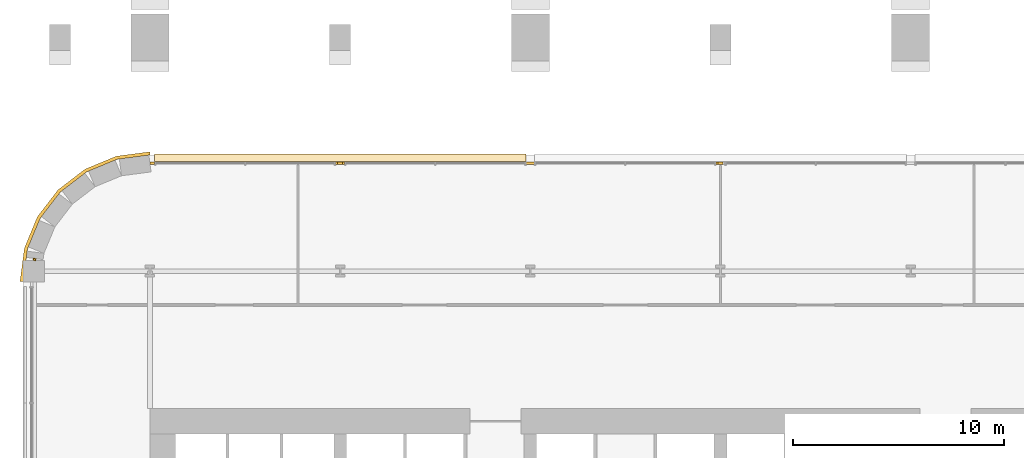
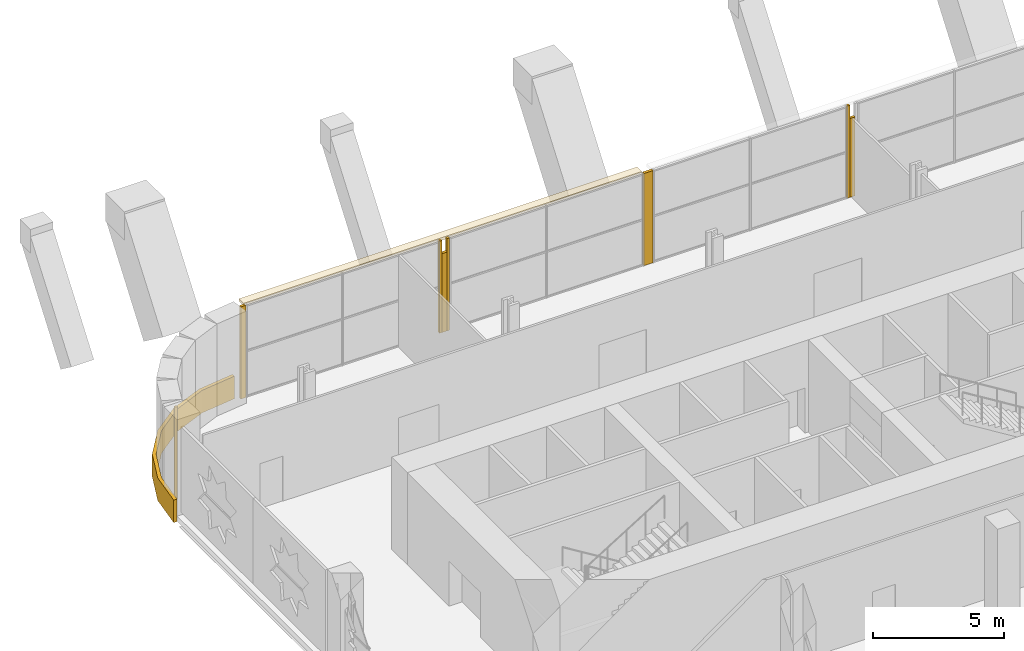
# One storey, part 22 of 24: 10 coverings.
"""IFC4 building model written with IfcOpenShell, lengths in metres."""

from ifc_helpers import new_model, si_unit, direction, frame, origin, origin_2d, place, context, subcontext, project, spatial, polyline, rectangle, outline, extrude, material, layer, layer_set, type_object, element, save


model = new_model("IFC4")

# Units and contexts
model_context = context("Model", 3, precision=1e-05, world=origin(), true_north=direction((0.0, 1.0)))
body_context = subcontext(model_context, "Body", "Model", "MODEL_VIEW")
ifc_project = project(units=[si_unit("LENGTHUNIT", "METRE"), si_unit("AREAUNIT", "SQUARE_METRE"), si_unit("VOLUMEUNIT", "CUBIC_METRE"), si_unit("PLANEANGLEUNIT", "RADIAN"), si_unit("MASSUNIT", "GRAM", prefix="KILO")], contexts=[model_context])

# Site, building, storey
site_placement = place(None, origin())
site = spatial("IfcSite", under=ifc_project, at=site_placement, CompositionType="ELEMENT")
building_placement = place(site_placement, origin())
building = spatial("IfcBuilding", under=site, at=building_placement, Name="Zellij Exchange Tower", CompositionType="ELEMENT")
storey_placement = place(building_placement, frame((0.0, 0.0, 48.0)))
storey = spatial("IfcBuildingStorey", under=building, at=storey_placement, Name="L08", CompositionType="ELEMENT", Elevation=48.0)

# Coverings
ifc_material_1 = material(Name="Limestone cladding", Category="masonry")
ifc_layer_1 = layer(ifc_material_1, 0.14990234375)
ifc_layer_set_1 = layer_set([ifc_layer_1], Name="Limestone cladding")
covering_type_1 = type_object("IfcCoveringType", Name="ENV-CV1 Stone spandrel band 150", PredefinedType="CLADDING", material=ifc_layer_set_1)
covering_1_placement = place(storey_placement, frame((0.0, 0.0, -0.25)))
element("IfcCovering", 1, at=covering_1_placement, inside=storey, type_object=covering_type_1, Name="Stone spandrel band", PredefinedType="CLADDING", context=body_context, shape_type="SweptSolid", body=[
    extrude(outline(polyline([(-27.0, 10.0), (-28.552978515625, 9.795654296875), (-30.0, 9.1962890625), (-31.24267578125, 8.24267578125), (-32.1962890625, 7.0), (-32.795654296875, 5.552978515625), (-33.0, 4.0), (-33.14990234375, 4.009765625), (-32.941650390625, 5.592041015625), (-32.3271484375, 7.07568359375), (-31.349609375, 8.349609375), (-30.07568359375, 9.3271484375), (-28.592041015625, 9.941650390625), (-27.009765625, 10.14990234375), (-27.0, 10.0)])), origin(), (0.0, 0.0, 1.0), 1.050048828125),
])
ifc_layer_2 = layer(ifc_material_1, 0.1201171875)
ifc_layer_set_2 = layer_set([ifc_layer_2], Name="Limestone cladding")
covering_type_2 = type_object("IfcCoveringType", Name="ENV-CV18 Glazing closer 120", PredefinedType="CLADDING", material=ifc_layer_set_2)
covering_2_placement = place(storey_placement, frame((-9.0, 9.60009765625, 0.0), z_axis=(0.0, 0.0, 1.0), x_axis=(-1.0, 0.0, 0.0)))
element("IfcCovering", 2, at=covering_2_placement, inside=storey, type_object=covering_type_2, Name="Glazing closer", PredefinedType="CLADDING", context=body_context, shape_type="SweptSolid", body=[
    extrude(rectangle(XDim=0.39990234375, YDim=0.1201171875, at=origin_2d()), origin(), (0.0, 0.0, 1.0), 4.300048828125),
])
for number, where, z_axis, x_axis, name in (
    (3, (0.0, 9.60009765625, 0.0), (0.0, 0.0, 1.0), (-1.0, 0.0, 0.0), "Glazing closer"),
    (4, (-18.0, 9.60009765625, 0.0), (0.0, 0.0, 1.0), (-1.0, 0.0, 0.0), "Glazing closer"),
):
    element("IfcCovering", number, at=place(storey_placement, frame(where, z_axis=z_axis, x_axis=x_axis)), inside=storey, type_object=covering_type_2, Name=name, PredefinedType="CLADDING", context=body_context, shape_type="SweptSolid", body=[
        extrude(rectangle(XDim=0.22900390625, YDim=0.1201171875, at=origin_2d()), origin(), (0.0, 0.0, 1.0), 3.677734375),
    ])
covering_3_placement = place(storey_placement, frame((-26.883056640625, 9.60009765625, 0.0), z_axis=(0.0, 0.0, 1.0), x_axis=(-1.0, 0.0, 0.0)))
element("IfcCovering", 5, at=covering_3_placement, inside=storey, type_object=covering_type_2, Name="Glazing closer", PredefinedType="CLADDING", context=body_context, shape_type="SweptSolid", body=[
    extrude(rectangle(XDim=0.218505859375, YDim=0.1201171875, at=origin_2d()), origin(), (0.0, 0.0, 1.0), 4.300048828125),
])
for number, where, z_axis, x_axis, name in (
    (6, (-17.83544921875, 9.60009765625, 0.0), (0.0, 0.0, 1.0), (-1.0, 0.0, 0.0), "Glazing closer"),
    (7, (-18.16455078125, 9.60009765625, 0.0), (0.0, 0.0, 1.0), (-1.0, 0.0, 0.0), "Glazing closer"),
    (8, (-0.16455078125, 9.60009765625, 0.0), (0.0, 0.0, 1.0), (-1.0, 0.0, 0.0), "Glazing closer"),
):
    element("IfcCovering", number, at=place(storey_placement, frame(where, z_axis=z_axis, x_axis=x_axis)), inside=storey, type_object=covering_type_2, Name=name, PredefinedType="CLADDING", context=body_context, shape_type="SweptSolid", body=[
        extrude(rectangle(XDim=0.10009765625, YDim=0.1201171875, at=origin_2d()), origin(), (0.0, 0.0, 1.0), 4.300048828125),
    ])
covering_4_placement = place(storey_placement, frame((-32.457763671875, 5.0546875, 0.0), z_axis=(0.0, 0.0, 1.0), x_axis=(-0.130498505806, -0.991448505966, 0.0)))
element("IfcCovering", 9, at=covering_4_placement, inside=storey, type_object=covering_type_2, Name="Glazing closer", PredefinedType="CLADDING", context=body_context, shape_type="SweptSolid", body=[
    extrude(rectangle(XDim=0.0947265625, YDim=0.1201171875, at=origin_2d()), origin(), (0.0, 0.0, 1.0), 4.300048828125),
])
ifc_material_2 = material(Name="Limestone sunshade", Category="masonry")
ifc_layer_3 = layer(ifc_material_2, 0.1201171875)
ifc_layer_set_3 = layer_set([ifc_layer_3], Name="Limestone sunshade")
covering_type_3 = type_object("IfcCoveringType", Name="ENV-SC2 Stone sunshade 120", PredefinedType="USERDEFINED", material=ifc_layer_set_3)
covering_5_placement = place(storey_placement, frame((0.0, 0.0, 4.179931640625)))
element("IfcCovering", 10, at=covering_5_placement, inside=storey, type_object=covering_type_3, Name="Stone sunshade", ObjectType="SUNSHADE", PredefinedType="USERDEFINED", context=body_context, shape_type="SweptSolid", body=[
    extrude(outline(polyline([(-9.199951171875, 9.699951171875), (-26.773681640625, 9.699951171875), (-26.773681640625, 10.050048828125), (-9.199951171875, 10.050048828125), (-9.199951171875, 9.699951171875)])), origin(), (0.0, 0.0, 1.0), 0.1201171875),
])

save(model, "model.ifc")
